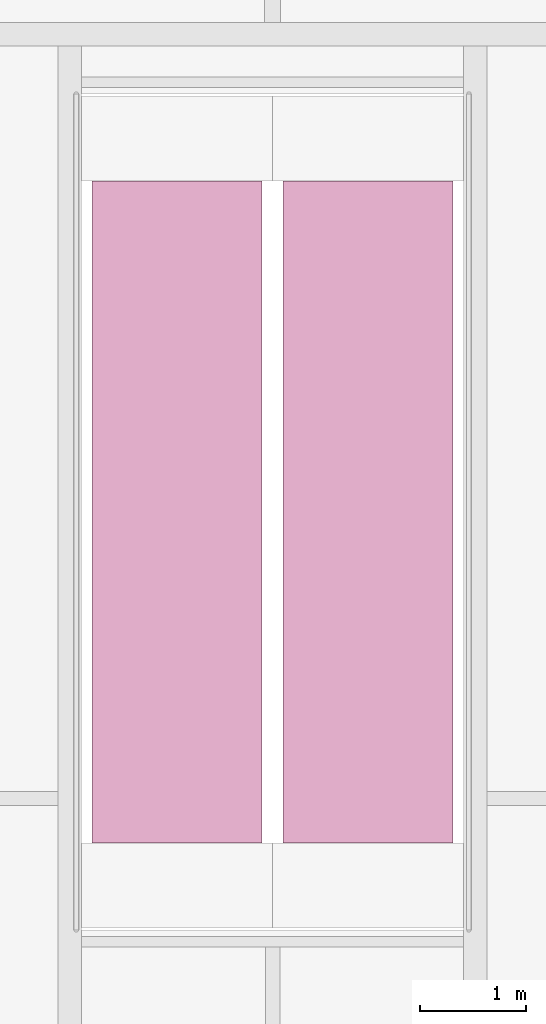
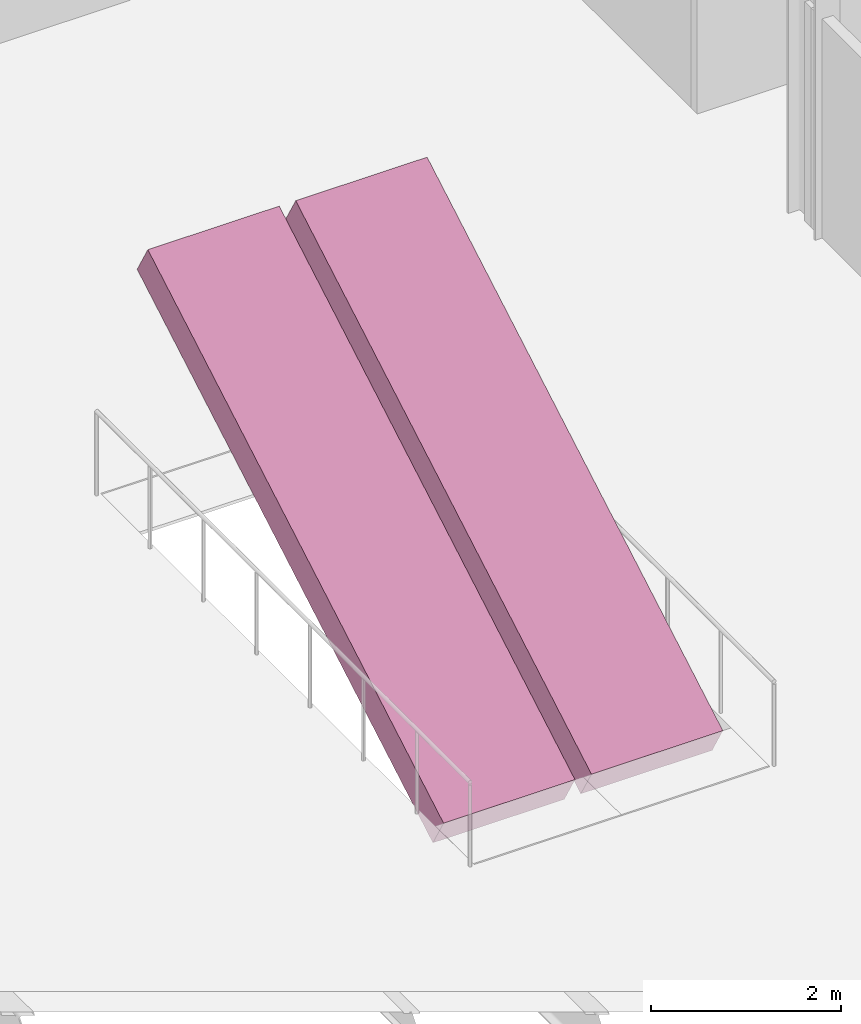
# One storey, part 124 of 124: 2 transport elements.
"""IFC4 building model written with IfcOpenShell, lengths in metres."""

from ifc_helpers import new_model, si_unit, direction, frame, origin, place, context, subcontext, project, spatial, polyline, outline, extrude, material, type_object, element, save


model = new_model("IFC4")

# Units and contexts
model_context = context("Model", 3, precision=1e-05, world=origin(), true_north=direction((0.0, 1.0)))
body_context = subcontext(model_context, "Body", "Model", "MODEL_VIEW")
ifc_project = project(units=[si_unit("LENGTHUNIT", "METRE"), si_unit("AREAUNIT", "SQUARE_METRE"), si_unit("VOLUMEUNIT", "CUBIC_METRE"), si_unit("PLANEANGLEUNIT", "RADIAN"), si_unit("MASSUNIT", "GRAM", prefix="KILO")], contexts=[model_context])

# Site, building, storey
site_placement = place(None, origin())
site = spatial("IfcSite", under=ifc_project, at=site_placement, CompositionType="ELEMENT")
building_placement = place(site_placement, origin())
building = spatial("IfcBuilding", under=site, at=building_placement, Name="Kupolbacken Congress Centre", CompositionType="ELEMENT")
storey_placement = place(building_placement, frame((0.0, 0.0, 10.800048828125)))
storey = spatial("IfcBuildingStorey", under=building, at=storey_placement, Name="L03", CompositionType="ELEMENT", Elevation=10.800048828125)

# Transport elements
ifc_material = material(Name="Steel S355", Category="steel")
transport_element_type = type_object("IfcTransportElementType", Name="ES1 escalator 1000", PredefinedType="ESCALATOR", material=ifc_material)
transport_element_1_placement = place(storey_placement, frame((41.5, 35.582275390625, 0.0), z_axis=(0.0, -0.499986626058, 0.866033125095), x_axis=(1.0, 0.0, 0.0)))
element("IfcTransportElement", 1, at=transport_element_1_placement, inside=storey, type_object=transport_element_type, Name="Escalator ES7", PredefinedType="ESCALATOR", context=body_context, shape_type="SweptSolid", body=[
    extrude(outline(polyline([(0.0, 0.0), (1.60009765625, 0.0), (1.60009765625, 7.199899613323014), (0.0, 7.199899613323014), (0.0, 0.0)])), origin(), (0.0, 0.0, -1.0), 0.449951171875),
])
transport_element_2_placement = place(storey_placement, frame((43.300048828125, 35.582275390625, 0.0), z_axis=(0.0, -0.499986626058, 0.866033125095), x_axis=(1.0, 0.0, 0.0)))
element("IfcTransportElement", 2, at=transport_element_2_placement, inside=storey, type_object=transport_element_type, Name="Escalator ES8", PredefinedType="ESCALATOR", context=body_context, shape_type="SweptSolid", body=[
    extrude(outline(polyline([(0.0, 0.0), (1.599853515625, 0.0), (1.599853515625, 7.199899613323012), (0.0, 7.199899613323012), (0.0, 0.0)])), origin(), (0.0, 0.0, -1.0), 0.449951171875),
])

save(model, "model.ifc")
